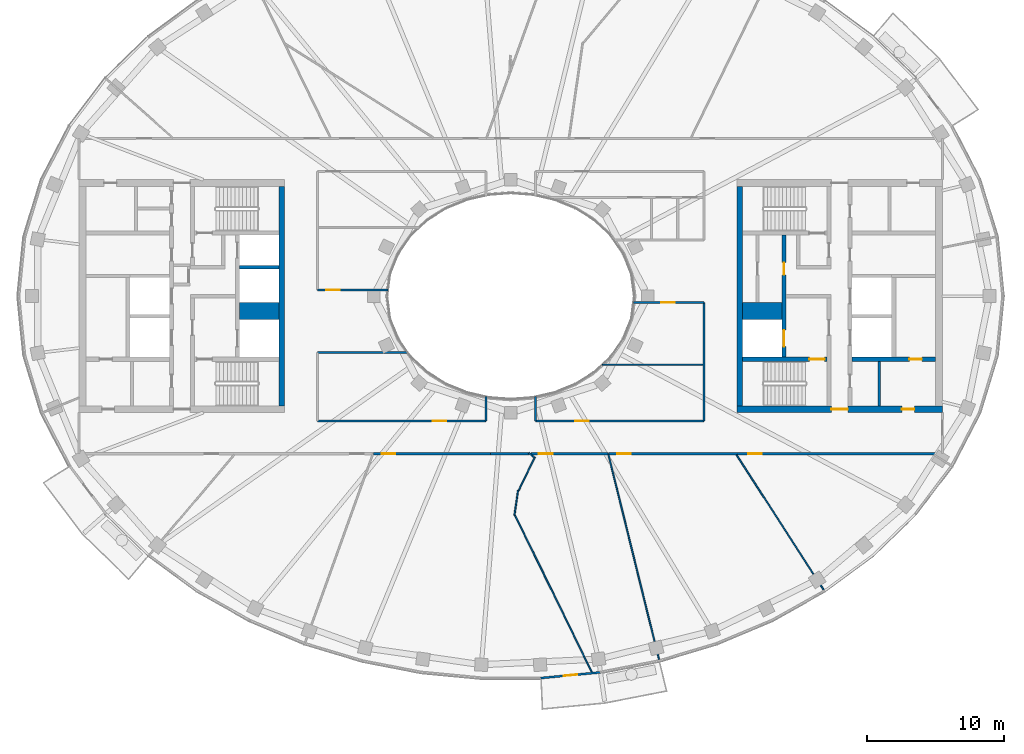
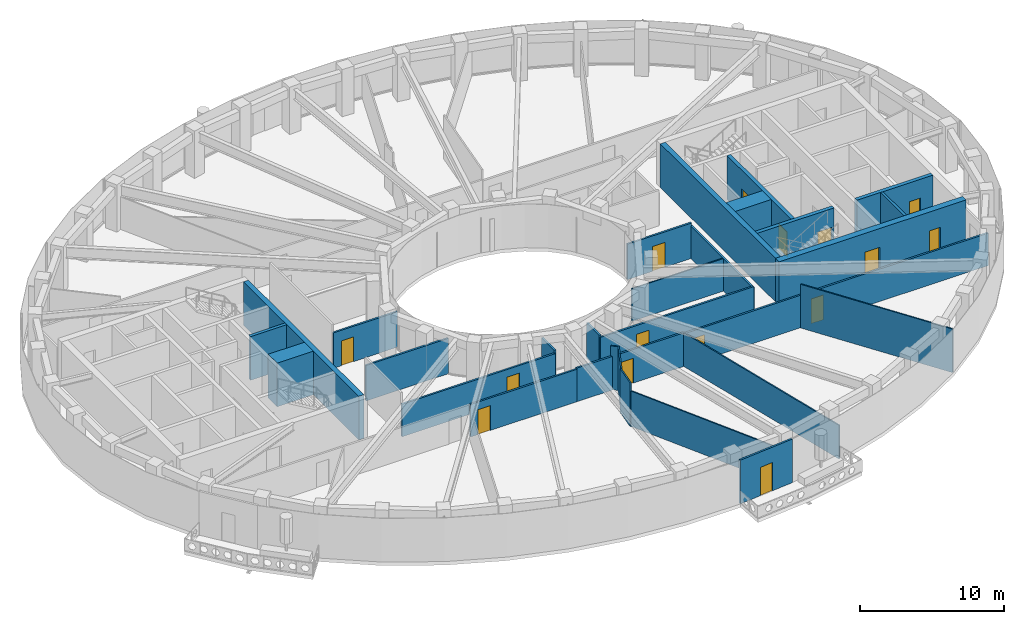
# One storey, part 4 of 16: 30 walls, 15 doors, 15 openings.
"""IFC4 building model written with IfcOpenShell, lengths in metres."""

from ifc_helpers import new_model, si_unit, direction, frame, frame_2d, origin, place, context, subcontext, project, spatial, rectangle, extrude, material, layer, layer_set, type_object, element, fill, save


model = new_model("IFC4")

# Units and contexts
model_context = context("Model", 3, precision=1e-05, world=origin(), true_north=direction((0.0, 1.0)))
body_context = subcontext(model_context, "Body", "Model", "MODEL_VIEW")
ifc_project = project(units=[si_unit("LENGTHUNIT", "METRE"), si_unit("AREAUNIT", "SQUARE_METRE"), si_unit("VOLUMEUNIT", "CUBIC_METRE"), si_unit("PLANEANGLEUNIT", "RADIAN"), si_unit("MASSUNIT", "GRAM", prefix="KILO")], contexts=[model_context])

# Site, building, storey
site_placement = place(None, origin())
site = spatial("IfcSite", under=ifc_project, at=site_placement, CompositionType="ELEMENT")
building_placement = place(site_placement, origin())
building = spatial("IfcBuilding", under=site, at=building_placement, Name="Noorbagh Ring Tower", CompositionType="ELEMENT")
storey_placement = place(building_placement, frame((0.0, 0.0, 299.0)))
storey = spatial("IfcBuildingStorey", under=building, at=storey_placement, Name="L64", CompositionType="ELEMENT", Elevation=299.0)

# Walls
ifc_material_1 = material(Name="Gypsum board on steel studs", Category="steel")
ifc_layer_1 = layer(ifc_material_1, 0.199951171875)
ifc_layer_set_1 = layer_set([ifc_layer_1], Name="Gypsum board on steel studs")
wall_type_1 = type_object("IfcWallType", Name="CORE-PARTITION-200", PredefinedType="PARTITIONING", material=ifc_layer_set_1)
wall_1_placement = place(storey_placement, frame((26.89990234375, -8.0, 0.0), z_axis=(0.0, 0.0, 1.0), x_axis=(0.0, 1.0, 0.0)))
element("IfcWall", 1, at=wall_1_placement, inside=storey, type_object=wall_type_1, Name="Core partition E", PredefinedType="PARTITIONING", context=body_context, shape_type="SweptSolid", body=[
    extrude(rectangle(XDim=3.25, YDim=0.199951171875, at=frame_2d((1.625, 0.0))), origin(), (0.0, 0.0, 1.0), 3.699951171875),
])
ifc_material_2 = material(Name="Concrete C50/60", Category="concrete")
ifc_layer_2 = layer(ifc_material_2, 1.25)
ifc_layer_set_2 = layer_set([ifc_layer_2], Name="Concrete C50/60")
wall_type_2 = type_object("IfcWallType", Name="CORE-WALL-1250-C50-60-EI120", PredefinedType="SHEAR", material=ifc_layer_set_2)
for number, where, z_axis, x_axis, name in (
    (2, (-16.89990234375, -1.074951171875, 0.0), (0.0, 0.0, 1.0), (-1.0, 0.0, 0.0), "Core wall W"),
    (3, (16.89990234375, -1.074951171875, 0.0), (0.0, 0.0, 1.0), (1.0, 0.0, 0.0), "Core wall E"),
):
    element("IfcWall", number, at=place(storey_placement, frame(where, z_axis=z_axis, x_axis=x_axis)), inside=storey, type_object=wall_type_2, Name=name, PredefinedType="SHEAR", context=body_context, shape_type="SweptSolid", body=[
        extrude(rectangle(XDim=2.900146484375, YDim=1.25, at=frame_2d((1.4501953125, 0.0))), origin(), (0.0, 0.0, 1.0), 3.699951171875),
    ])
ifc_material_3 = material(Name="Concrete C50/60", Category="concrete")
ifc_layer_3 = layer(ifc_material_3, 0.25)
ifc_layer_set_3 = layer_set([ifc_layer_3], Name="Concrete C50/60")
wall_type_3 = type_object("IfcWallType", Name="CORE-WALL-250-C50-60-EI120", PredefinedType="SHEAR", material=ifc_layer_set_3)
wall_2_placement = place(storey_placement, frame((-16.89990234375, 2.125, 0.0), z_axis=(0.0, 0.0, 1.0), x_axis=(-1.0, 0.0, 0.0)))
element("IfcWall", 4, at=wall_2_placement, inside=storey, type_object=wall_type_3, Name="Core wall W", PredefinedType="SHEAR", context=body_context, shape_type="SweptSolid", body=[
    extrude(rectangle(XDim=2.900146484375, YDim=0.25, at=frame_2d((1.4501953125, 0.0))), origin(), (0.0, 0.0, 1.0), 3.699951171875),
])

# Wall, openings, doors
ifc_material_4 = material(Name="Concrete C50/60", Category="concrete")
ifc_layer_4 = layer(ifc_material_4, 0.300048828125)
ifc_layer_set_4 = layer_set([ifc_layer_4], Name="Concrete C50/60")
wall_type_4 = type_object("IfcWallType", Name="CORE-WALL-300-C50-60-EI120", PredefinedType="SHEAR", material=ifc_layer_set_4)
wall_3_placement = place(storey_placement, frame((19.949951171875, -4.449951171875, 0.0), z_axis=(0.0, 0.0, 1.0), x_axis=(0.0, 1.0, 0.0)))
wall_3 = element("IfcWall", 5, at=wall_3_placement, inside=storey, type_object=wall_type_4, Name="Core wall E", PredefinedType="SHEAR", context=body_context, shape_type="SweptSolid", body=[
    extrude(rectangle(XDim=8.89990234375, YDim=0.300048828125, at=frame_2d((4.449951171875, 0.0))), origin(), (0.0, 0.0, 1.0), 3.699951171875),
])
opening_1_placement = place(wall_3_placement, frame((0.77490234375, 0.0, 0.0)))
opening_1 = element("IfcOpeningElement", 6, at=opening_1_placement, cuts=wall_3, Name="Opening L64-CE01", PredefinedType="OPENING", context=body_context, shape_type="SweptSolid", body=[
    extrude(rectangle(XDim=1.199951171875, YDim=2.10009765625, at=frame_2d((0.60009765625, 1.050048828125))), frame((0.0, 0.16015625, 0.0), z_axis=(0.0, -1.0, 0.0), x_axis=(1.0, 0.0, 0.0)), (0.0, 0.0, 1.0), 0.320068359375),
])
opening_2_placement = place(wall_3_placement, frame((6.0, 0.0, 0.0)))
opening_2 = element("IfcOpeningElement", 7, at=opening_2_placement, cuts=wall_3, Name="Opening L64-CE10", PredefinedType="OPENING", context=body_context, shape_type="SweptSolid", body=[
    extrude(rectangle(XDim=0.89990234375, YDim=2.10009765625, at=frame_2d((0.449951171875, 1.050048828125))), frame((0.0, 0.16015625, 0.0), z_axis=(0.0, -1.0, 0.0), x_axis=(1.0, 0.0, 0.0)), (0.0, 0.0, 1.0), 0.320068359375),
])
ifc_material_5 = material(Name="Steel door leaf", Category="steel")
door_type_1 = type_object("IfcDoorType", Name="CORE-DOOR-DROOM", OperationType="SINGLE_SWING_LEFT", PredefinedType="DOOR", material=ifc_material_5)
door_1_placement = place(opening_2_placement, origin())
door_1 = element("IfcDoor", 8, at=door_1_placement, inside=storey, type_object=door_type_1, Name="Core room door L64-CE10", OperationType="SINGLE_SWING_RIGHT", OverallHeight=2.10009765625, OverallWidth=0.89990234375, PredefinedType="DOOR", context=body_context, shape_type="SweptSolid", body=[
    extrude(rectangle(XDim=0.89990234375, YDim=2.10009765625, at=frame_2d((0.449951171875, 1.050048828125))), frame((0.0, 0.02490234375, 0.0), z_axis=(0.0, -1.0, 0.0), x_axis=(1.0, 0.0, 0.0)), (0.0, 0.0, 1.0), 0.050048828125),
])
fill(opening_2, door_1)
ifc_material_6 = material(Name="Steel door leaf", Category="steel")
door_type_2 = type_object("IfcDoorType", Name="CORE-DOOR-LDW", OperationType="DOUBLE_DOOR_SLIDING", PredefinedType="DOOR", material=ifc_material_6)
door_2_placement = place(opening_1_placement, origin())
door_2 = element("IfcDoor", 9, at=door_2_placement, inside=storey, type_object=door_type_2, Name="Landing door FF2 L64-CE01", OperationType="DOUBLE_DOOR_SLIDING", OverallHeight=2.10009765625, OverallWidth=1.199951171875, PredefinedType="DOOR", context=body_context, shape_type="SweptSolid", body=[
    extrude(rectangle(XDim=1.199951171875, YDim=2.10009765625, at=frame_2d((0.60009765625, 1.050048828125))), frame((0.0, 0.02490234375, 0.0), z_axis=(0.0, -1.0, 0.0), x_axis=(1.0, 0.0, 0.0)), (0.0, 0.0, 1.0), 0.050048828125),
])
fill(opening_1, door_2)

# Wall, opening, door
ifc_material_7 = material(Name="Concrete C50/60", Category="concrete")
ifc_layer_5 = layer(ifc_material_7, 0.300048828125)
ifc_layer_set_5 = layer_set([ifc_layer_5], Name="Concrete C50/60")
wall_type_5 = type_object("IfcWallType", Name="CORE-WALL-300-C50-60-EI240", PredefinedType="SHEAR", material=ifc_layer_set_5)
wall_4_placement = place(storey_placement, frame((24.89990234375, -4.60009765625, 0.0), z_axis=(0.0, 0.0, 1.0), x_axis=(1.0, 0.0, 0.0)))
wall_4 = element("IfcWall", 10, at=wall_4_placement, inside=storey, type_object=wall_type_5, Name="Core wall E", PredefinedType="SHEAR", context=body_context, shape_type="SweptSolid", body=[
    extrude(rectangle(XDim=6.10009765625, YDim=0.300048828125, at=frame_2d((3.050048828125, 0.0))), origin(), (0.0, 0.0, 1.0), 3.699951171875),
])
opening_3_placement = place(wall_4_placement, frame((4.199951171875, 0.0, 0.0)))
opening_3 = element("IfcOpeningElement", 11, at=opening_3_placement, cuts=wall_4, Name="Opening L64-CE17", PredefinedType="OPENING", context=body_context, shape_type="SweptSolid", body=[
    extrude(rectangle(XDim=0.89990234375, YDim=2.10009765625, at=frame_2d((0.449951171875, 1.050048828125))), frame((0.0, 0.16015625, 0.0), z_axis=(0.0, -1.0, 0.0), x_axis=(1.0, 0.0, 0.0)), (0.0, 0.0, 1.0), 0.320068359375),
])
door_3_placement = place(opening_3_placement, origin())
door_3 = element("IfcDoor", 12, at=door_3_placement, inside=storey, type_object=door_type_1, Name="Core room door L64-CE17", OperationType="SINGLE_SWING_LEFT", OverallHeight=2.10009765625, OverallWidth=0.89990234375, PredefinedType="DOOR", context=body_context, shape_type="SweptSolid", body=[
    extrude(rectangle(XDim=0.89990234375, YDim=2.10009765625, at=frame_2d((0.449951171875, 1.050048828125))), frame((0.0, 0.02490234375, 0.0), z_axis=(0.0, -1.0, 0.0), x_axis=(1.0, 0.0, 0.0)), (0.0, 0.0, 1.0), 0.050048828125),
])
fill(opening_3, door_3)

wall_5_placement = place(storey_placement, frame((16.89990234375, -4.60009765625, 0.0), z_axis=(0.0, 0.0, 1.0), x_axis=(1.0, 0.0, 0.0)))
wall_5 = element("IfcWall", 13, at=wall_5_placement, inside=storey, type_object=wall_type_5, Name="Core wall E", PredefinedType="SHEAR", context=body_context, shape_type="SweptSolid", body=[
    extrude(rectangle(XDim=6.18017578125, YDim=0.300048828125, at=frame_2d((3.090087890625, 0.0))), origin(), (0.0, 0.0, 1.0), 3.699951171875),
])
opening_4_placement = place(wall_5_placement, frame((4.89990234375, 0.0, 0.0)))
opening_4 = element("IfcOpeningElement", 14, at=opening_4_placement, cuts=wall_5, Name="Opening L64-CE05", PredefinedType="OPENING", context=body_context, shape_type="SweptSolid", body=[
    extrude(rectangle(XDim=1.10009765625, YDim=2.10009765625, at=frame_2d((0.550048828125, 1.050048828125))), frame((0.0, 0.16015625, 0.0), z_axis=(0.0, -1.0, 0.0), x_axis=(1.0, 0.0, 0.0)), (0.0, 0.0, 1.0), 0.320068359375),
])
ifc_material_8 = material(Name="Steel door leaf", Category="steel")
door_type_3 = type_object("IfcDoorType", Name="CORE-DOOR-DSTAIR", OperationType="SINGLE_SWING_LEFT", PredefinedType="DOOR", material=ifc_material_8)
door_4_placement = place(opening_4_placement, origin())
door_4 = element("IfcDoor", 15, at=door_4_placement, inside=storey, type_object=door_type_3, Name="Stair door ST4 L64-CE05", OperationType="SINGLE_SWING_RIGHT", OverallHeight=2.10009765625, OverallWidth=1.10009765625, PredefinedType="DOOR", context=body_context, shape_type="SweptSolid", body=[
    extrude(rectangle(XDim=1.10009765625, YDim=2.10009765625, at=frame_2d((0.550048828125, 1.050048828125))), frame((0.0, 0.02490234375, 0.0), z_axis=(0.0, -1.0, 0.0), x_axis=(1.0, 0.0, 0.0)), (0.0, 0.0, 1.0), 0.050048828125),
])
fill(opening_4, door_4)

# Walls
ifc_material_9 = material(Name="Concrete C50/60", Category="concrete")
ifc_layer_6 = layer(ifc_material_9, 0.39990234375)
ifc_layer_set_6 = layer_set([ifc_layer_6], Name="Concrete C50/60")
wall_type_6 = type_object("IfcWallType", Name="CORE-WALL-400-C50-60-EI240", PredefinedType="SHEAR", material=ifc_layer_set_6)
for number, where, z_axis, x_axis, name in (
    (16, (-16.699951171875, -8.0, 0.0), (0.0, 0.0, 1.0), (0.0, 1.0, 0.0), "Core wall W"),
    (17, (16.699951171875, -8.0, 0.0), (0.0, 0.0, 1.0), (0.0, 1.0, 0.0), "Core wall E"),
):
    element("IfcWall", number, at=place(storey_placement, frame(where, z_axis=z_axis, x_axis=x_axis)), inside=storey, type_object=wall_type_6, Name=name, PredefinedType="SHEAR", context=body_context, shape_type="SweptSolid", body=[
        extrude(rectangle(XDim=16.0, YDim=0.39990234375, at=frame_2d((8.0, 0.0))), origin(), (0.0, 0.0, 1.0), 3.699951171875),
    ])

# Wall, openings, doors
ifc_material_10 = material(Name="Concrete C50/60", Category="concrete")
ifc_layer_7 = layer(ifc_material_10, 0.5)
ifc_layer_set_7 = layer_set([ifc_layer_7], Name="Concrete C50/60")
wall_type_7 = type_object("IfcWallType", Name="CORE-WALL-500-C50-60-EI240", PredefinedType="SHEAR", material=ifc_layer_set_7)
wall_6_placement = place(storey_placement, frame((16.5, -8.25, 0.0), z_axis=(0.0, 0.0, 1.0), x_axis=(1.0, 0.0, 0.0)))
wall_6 = element("IfcWall", 18, at=wall_6_placement, inside=storey, type_object=wall_type_7, Name="Core wall E", PredefinedType="SHEAR", context=body_context, shape_type="SweptSolid", body=[
    extrude(rectangle(XDim=15.0, YDim=0.5, at=frame_2d((7.5, 0.0))), origin(), (0.0, 0.0, 1.0), 3.699951171875),
])
opening_5_placement = place(wall_6_placement, frame((6.89990234375, 0.0, 0.0)))
opening_5 = element("IfcOpeningElement", 19, at=opening_5_placement, cuts=wall_6, Name="Opening L64-CE09", PredefinedType="OPENING", context=body_context, shape_type="SweptSolid", body=[
    extrude(rectangle(XDim=1.199951171875, YDim=2.10009765625, at=frame_2d((0.60009765625, 1.050048828125))), frame((0.0, 0.260009765625, 0.0), z_axis=(0.0, -1.0, 0.0), x_axis=(1.0, 0.0, 0.0)), (0.0, 0.0, 1.0), 0.52001953125),
])
opening_6_placement = place(wall_6_placement, frame((12.050048828125, 0.0, 0.0)))
opening_6 = element("IfcOpeningElement", 20, at=opening_6_placement, cuts=wall_6, Name="Opening L64-CE16", PredefinedType="OPENING", context=body_context, shape_type="SweptSolid", body=[
    extrude(rectangle(XDim=0.89990234375, YDim=2.10009765625, at=frame_2d((0.449951171875, 1.050048828125))), frame((0.0, 0.260009765625, 0.0), z_axis=(0.0, -1.0, 0.0), x_axis=(1.0, 0.0, 0.0)), (0.0, 0.0, 1.0), 0.52001953125),
])
door_5_placement = place(opening_6_placement, origin())
door_5 = element("IfcDoor", 21, at=door_5_placement, inside=storey, type_object=door_type_1, Name="Core room door L64-CE16", OperationType="SINGLE_SWING_RIGHT", OverallHeight=2.10009765625, OverallWidth=0.89990234375, PredefinedType="DOOR", context=body_context, shape_type="SweptSolid", body=[
    extrude(rectangle(XDim=0.89990234375, YDim=2.10009765625, at=frame_2d((0.449951171875, 1.050048828125))), frame((0.0, 0.02490234375, 0.0), z_axis=(0.0, -1.0, 0.0), x_axis=(1.0, 0.0, 0.0)), (0.0, 0.0, 1.0), 0.050048828125),
])
fill(opening_6, door_5)
ifc_material_11 = material(Name="Steel door leaf", Category="steel")
door_type_4 = type_object("IfcDoorType", Name="CORE-DOOR-PORT", OperationType="DOUBLE_DOOR_DOUBLE_SWING", PredefinedType="DOOR", material=ifc_material_11)
door_6_placement = place(opening_5_placement, origin())
door_6 = element("IfcDoor", 22, at=door_6_placement, inside=storey, type_object=door_type_4, Name="Core entrance door L64-CE09", OperationType="DOUBLE_DOOR_DOUBLE_SWING", OverallHeight=2.10009765625, OverallWidth=1.199951171875, PredefinedType="DOOR", context=body_context, shape_type="SweptSolid", body=[
    extrude(rectangle(XDim=1.199951171875, YDim=2.10009765625, at=frame_2d((0.60009765625, 1.050048828125))), frame((0.0, 0.02490234375, 0.0), z_axis=(0.0, -1.0, 0.0), x_axis=(1.0, 0.0, 0.0)), (0.0, 0.0, 1.0), 0.050048828125),
])
fill(opening_5, door_6)

# Wall, opening, door
ifc_material_12 = material(Name="Gypsum board on steel studs", Category="steel")
ifc_layer_8 = layer(ifc_material_12, 0.14990234375)
ifc_layer_set_8 = layer_set([ifc_layer_8], Name="Gypsum board on steel studs")
wall_type_8 = type_object("IfcWallType", Name="CORRIDOR PARTITION 150 EI 30", PredefinedType="PARTITIONING", material=ifc_layer_set_8)
wall_7_placement = place(storey_placement, frame((-14.10009765625, -9.10009765625, 0.0), z_axis=(0.0, 0.0, 1.0), x_axis=(1.0, 0.0, 0.0)))
wall_7 = element("IfcWall", 23, at=wall_7_placement, inside=storey, type_object=wall_type_8, Name="L64/wall/P12", PredefinedType="PARTITIONING", context=body_context, shape_type="SweptSolid", body=[
    extrude(rectangle(XDim=12.300048828125, YDim=0.14990234375, at=frame_2d((6.14990234375, 0.0))), origin(), (0.0, 0.0, 1.0), 2.75),
])
opening_7_placement = place(wall_7_placement, frame((8.39990234375, 0.0, 0.0)))
opening_7 = element("IfcOpeningElement", 24, at=opening_7_placement, cuts=wall_7, Name="Opening D1", PredefinedType="OPENING", context=body_context, shape_type="SweptSolid", body=[
    extrude(rectangle(XDim=1.0, YDim=2.10009765625, at=frame_2d((0.5, 1.050048828125))), frame((0.0, 0.0849609375, 0.0), z_axis=(0.0, -1.0, 0.0), x_axis=(1.0, 0.0, 0.0)), (0.0, 0.0, 1.0), 0.169921875),
])
ifc_material_13 = material(Name="Timber, painted", Category="wood")
door_type_5 = type_object("IfcDoorType", Name="DOOR 1000 X 2100 FD30", OperationType="SINGLE_SWING_LEFT", PredefinedType="DOOR", material=ifc_material_13)
door_7_placement = place(opening_7_placement, origin())
door_7 = element("IfcDoor", 25, at=door_7_placement, inside=storey, type_object=door_type_5, Name="L64-D19", OperationType="SINGLE_SWING_LEFT", OverallHeight=2.10009765625, OverallWidth=1.0, PredefinedType="DOOR", context=body_context, shape_type="SweptSolid", body=[
    extrude(rectangle(XDim=1.0, YDim=2.10009765625, at=frame_2d((0.5, 1.050048828125))), frame((0.0, 0.02490234375, 0.0), z_axis=(0.0, -1.0, 0.0), x_axis=(1.0, 0.0, 0.0)), (0.0, 0.0, 1.0), 0.050048828125),
])
fill(opening_7, door_7)

# Wall
wall_8_placement = place(storey_placement, frame((-14.10009765625, -4.094970703125, 0.0), z_axis=(0.0, 0.0, 1.0), x_axis=(1.0, 0.0, 0.0)))
element("IfcWall", 26, at=wall_8_placement, inside=storey, type_object=wall_type_8, Name="L64/wall/P13", PredefinedType="PARTITIONING", context=body_context, shape_type="SweptSolid", body=[
    extrude(rectangle(XDim=6.60302734375, YDim=0.14990234375, at=frame_2d((3.301513671875, 0.0))), origin(), (0.0, 0.0, 1.0), 3.0),
])

# Wall, opening, door
wall_9_placement = place(storey_placement, frame((-14.10009765625, 0.455078125, 0.0), z_axis=(0.0, 0.0, 1.0), x_axis=(1.0, 0.0, 0.0)))
wall_9 = element("IfcWall", 27, at=wall_9_placement, inside=storey, type_object=wall_type_8, Name="L64/wall/P15", PredefinedType="PARTITIONING", context=body_context, shape_type="SweptSolid", body=[
    extrude(rectangle(XDim=5.155029296875, YDim=0.14990234375, at=frame_2d((2.57763671875, 0.0))), origin(), (0.0, 0.0, 1.0), 3.0),
])
opening_8_placement = place(wall_9_placement, frame((0.634033203125, 0.0, 0.0)))
opening_8 = element("IfcOpeningElement", 28, at=opening_8_placement, cuts=wall_9, Name="Opening D1", PredefinedType="OPENING", context=body_context, shape_type="SweptSolid", body=[
    extrude(rectangle(XDim=1.0, YDim=2.10009765625, at=frame_2d((0.5, 1.050048828125))), frame((0.0, 0.0849609375, 0.0), z_axis=(0.0, -1.0, 0.0), x_axis=(1.0, 0.0, 0.0)), (0.0, 0.0, 1.0), 0.169921875),
])
door_8_placement = place(opening_8_placement, origin())
door_8 = element("IfcDoor", 29, at=door_8_placement, inside=storey, type_object=door_type_5, Name="L64-D20", OperationType="SINGLE_SWING_RIGHT", OverallHeight=2.10009765625, OverallWidth=1.0, PredefinedType="DOOR", context=body_context, shape_type="SweptSolid", body=[
    extrude(rectangle(XDim=1.0, YDim=2.10009765625, at=frame_2d((0.5, 1.050048828125))), frame((0.0, 0.02490234375, 0.0), z_axis=(0.0, -1.0, 0.0), x_axis=(1.0, 0.0, 0.0)), (0.0, 0.0, 1.0), 0.050048828125),
])
fill(opening_8, door_8)

wall_10_placement = place(storey_placement, frame((-10.0029296875, -11.5, 0.0), z_axis=(0.0, 0.0, 1.0), x_axis=(1.0, 0.0, 0.0)))
wall_10 = element("IfcWall", 30, at=wall_10_placement, inside=storey, type_object=wall_type_8, Name="L64/wall/P18", PredefinedType="PARTITIONING", context=body_context, shape_type="SweptSolid", body=[
    extrude(rectangle(XDim=8.517822265625, YDim=0.14990234375, at=frame_2d((4.2587890625, 0.0))), origin(), (0.0, 0.0, 1.0), 2.75),
])
opening_9_placement = place(wall_10_placement, frame((0.5849609375, 0.0, 0.0)))
opening_9 = element("IfcOpeningElement", 31, at=opening_9_placement, cuts=wall_10, Name="Opening D1", PredefinedType="OPENING", context=body_context, shape_type="SweptSolid", body=[
    extrude(rectangle(XDim=1.0, YDim=2.10009765625, at=frame_2d((0.5, 1.050048828125))), frame((0.0, 0.0849609375, 0.0), z_axis=(0.0, -1.0, 0.0), x_axis=(1.0, 0.0, 0.0)), (0.0, 0.0, 1.0), 0.169921875),
])
door_9_placement = place(opening_9_placement, origin())
door_9 = element("IfcDoor", 32, at=door_9_placement, inside=storey, type_object=door_type_5, Name="L64-D11", OperationType="SINGLE_SWING_LEFT", OverallHeight=2.10009765625, OverallWidth=1.0, PredefinedType="DOOR", context=body_context, shape_type="SweptSolid", body=[
    extrude(rectangle(XDim=1.0, YDim=2.10009765625, at=frame_2d((0.5, 1.050048828125))), frame((0.0, 0.02490234375, 0.0), z_axis=(0.0, -1.0, 0.0), x_axis=(1.0, 0.0, 0.0)), (0.0, 0.0, 1.0), 0.050048828125),
])
fill(opening_9, door_9)

# Walls
wall_11_placement = place(storey_placement, frame((-1.800048828125, -9.10009765625, 0.0), z_axis=(0.0, 0.0, 1.0), x_axis=(0.0, 1.0, 0.0)))
element("IfcWall", 33, at=wall_11_placement, inside=storey, type_object=wall_type_8, Name="L64/wall/P19", PredefinedType="PARTITIONING", context=body_context, shape_type="SweptSolid", body=[
    extrude(rectangle(XDim=1.76416015625, YDim=0.14990234375, at=frame_2d((0.882080078125, 0.0))), origin(), (0.0, 0.0, 1.0), 3.0),
])
wall_12_placement = place(storey_placement, frame((-1.488037109375, -11.5, 0.0), z_axis=(0.0, 0.0, 1.0), x_axis=(1.0, 0.0, 0.0)))
element("IfcWall", 34, at=wall_12_placement, inside=storey, type_object=wall_type_8, Name="L64/wall/P23", PredefinedType="PARTITIONING", context=body_context, shape_type="SweptSolid", body=[
    extrude(rectangle(XDim=2.841064453125, YDim=0.14990234375, at=frame_2d((1.42041015625, 0.0))), origin(), (0.0, 0.0, 1.0), 2.85009765625),
])

# Wall, opening, door
wall_13_placement = place(storey_placement, frame((1.47802734375, -11.5, 0.0), z_axis=(0.0, 0.0, 1.0), x_axis=(1.0, 0.0, 0.0)))
wall_13 = element("IfcWall", 35, at=wall_13_placement, inside=storey, type_object=wall_type_8, Name="L64/wall/P30", PredefinedType="PARTITIONING", context=body_context, shape_type="SweptSolid", body=[
    extrude(rectangle(XDim=5.634033203125, YDim=0.14990234375, at=frame_2d((2.81689453125, 0.0))), origin(), (0.0, 0.0, 1.0), 2.85009765625),
])
opening_10_placement = place(wall_13_placement, frame((0.574951171875, 0.0, 0.0)))
opening_10 = element("IfcOpeningElement", 36, at=opening_10_placement, cuts=wall_13, Name="Opening D1", PredefinedType="OPENING", context=body_context, shape_type="SweptSolid", body=[
    extrude(rectangle(XDim=1.0, YDim=2.10009765625, at=frame_2d((0.5, 1.050048828125))), frame((0.0, 0.0849609375, 0.0), z_axis=(0.0, -1.0, 0.0), x_axis=(1.0, 0.0, 0.0)), (0.0, 0.0, 1.0), 0.169921875),
])
door_10_placement = place(opening_10_placement, origin())
door_10 = element("IfcDoor", 37, at=door_10_placement, inside=storey, type_object=door_type_5, Name="L64-D13", OperationType="SINGLE_SWING_LEFT", OverallHeight=2.10009765625, OverallWidth=1.0, PredefinedType="DOOR", context=body_context, shape_type="SweptSolid", body=[
    extrude(rectangle(XDim=1.0, YDim=2.10009765625, at=frame_2d((0.5, 1.050048828125))), frame((0.0, 0.02490234375, 0.0), z_axis=(0.0, -1.0, 0.0), x_axis=(1.0, 0.0, 0.0)), (0.0, 0.0, 1.0), 0.050048828125),
])
fill(opening_10, door_10)

# Wall
wall_14_placement = place(storey_placement, frame((1.800048828125, -9.10009765625, 0.0), z_axis=(0.0, 0.0, 1.0), x_axis=(0.0, 1.0, 0.0)))
element("IfcWall", 38, at=wall_14_placement, inside=storey, type_object=wall_type_8, Name="L64/wall/P31", PredefinedType="PARTITIONING", context=body_context, shape_type="SweptSolid", body=[
    extrude(rectangle(XDim=1.76416015625, YDim=0.14990234375, at=frame_2d((0.882080078125, 0.0))), origin(), (0.0, 0.0, 1.0), 3.0),
])

# Wall, opening, door
wall_15_placement = place(storey_placement, frame((1.800048828125, -9.10009765625, 0.0), z_axis=(0.0, 0.0, 1.0), x_axis=(1.0, 0.0, 0.0)))
wall_15 = element("IfcWall", 39, at=wall_15_placement, inside=storey, type_object=wall_type_8, Name="L64/wall/P32", PredefinedType="PARTITIONING", context=body_context, shape_type="SweptSolid", body=[
    extrude(rectangle(XDim=12.300048828125, YDim=0.14990234375, at=frame_2d((6.14990234375, 0.0))), origin(), (0.0, 0.0, 1.0), 2.85009765625),
])
opening_11_placement = place(wall_15_placement, frame((2.89990234375, 0.0, 0.0)))
opening_11 = element("IfcOpeningElement", 40, at=opening_11_placement, cuts=wall_15, Name="Opening D1", PredefinedType="OPENING", context=body_context, shape_type="SweptSolid", body=[
    extrude(rectangle(XDim=1.0, YDim=2.10009765625, at=frame_2d((0.5, 1.050048828125))), frame((0.0, 0.0849609375, 0.0), z_axis=(0.0, -1.0, 0.0), x_axis=(1.0, 0.0, 0.0)), (0.0, 0.0, 1.0), 0.169921875),
])
door_11_placement = place(opening_11_placement, origin())
door_11 = element("IfcDoor", 41, at=door_11_placement, inside=storey, type_object=door_type_5, Name="L64-D22", OperationType="SINGLE_SWING_RIGHT", OverallHeight=2.10009765625, OverallWidth=1.0, PredefinedType="DOOR", context=body_context, shape_type="SweptSolid", body=[
    extrude(rectangle(XDim=1.0, YDim=2.10009765625, at=frame_2d((0.5, 1.050048828125))), frame((0.0, 0.02490234375, 0.0), z_axis=(0.0, -1.0, 0.0), x_axis=(1.0, 0.0, 0.0)), (0.0, 0.0, 1.0), 0.050048828125),
])
fill(opening_11, door_11)

# Wall, openings, doors
wall_16_placement = place(storey_placement, frame((7.12890625, -11.5, 0.0), z_axis=(0.0, 0.0, 1.0), x_axis=(1.0, 0.0, 0.0)))
wall_16 = element("IfcWall", 42, at=wall_16_placement, inside=storey, type_object=wall_type_8, Name="L64/wall/P41", PredefinedType="PARTITIONING", context=body_context, shape_type="SweptSolid", body=[
    extrude(rectangle(XDim=24.37109375, YDim=0.14990234375, at=frame_2d((12.185546875, 0.0))), origin(), (0.0, 0.0, 1.0), 2.75),
])
opening_12_placement = place(wall_16_placement, frame((0.633056640625, 0.0, 0.0)))
opening_12 = element("IfcOpeningElement", 43, at=opening_12_placement, cuts=wall_16, Name="Opening D1", PredefinedType="OPENING", context=body_context, shape_type="SweptSolid", body=[
    extrude(rectangle(XDim=1.0, YDim=2.10009765625, at=frame_2d((0.5, 1.050048828125))), frame((0.0, 0.0849609375, 0.0), z_axis=(0.0, -1.0, 0.0), x_axis=(1.0, 0.0, 0.0)), (0.0, 0.0, 1.0), 0.169921875),
])
opening_13_placement = place(wall_16_placement, frame((10.195068359375, 0.0, 0.0)))
opening_13 = element("IfcOpeningElement", 44, at=opening_13_placement, cuts=wall_16, Name="Opening D1", PredefinedType="OPENING", context=body_context, shape_type="SweptSolid", body=[
    extrude(rectangle(XDim=1.0, YDim=2.10009765625, at=frame_2d((0.5, 1.050048828125))), frame((0.0, 0.0849609375, 0.0), z_axis=(0.0, -1.0, 0.0), x_axis=(1.0, 0.0, 0.0)), (0.0, 0.0, 1.0), 0.169921875),
])
door_12_placement = place(opening_12_placement, origin())
door_12 = element("IfcDoor", 45, at=door_12_placement, inside=storey, type_object=door_type_5, Name="L64-D15", OperationType="SINGLE_SWING_LEFT", OverallHeight=2.10009765625, OverallWidth=1.0, PredefinedType="DOOR", context=body_context, shape_type="SweptSolid", body=[
    extrude(rectangle(XDim=1.0, YDim=2.10009765625, at=frame_2d((0.5, 1.050048828125))), frame((0.0, 0.02490234375, 0.0), z_axis=(0.0, -1.0, 0.0), x_axis=(1.0, 0.0, 0.0)), (0.0, 0.0, 1.0), 0.050048828125),
])
fill(opening_12, door_12)
door_13_placement = place(opening_13_placement, origin())
door_13 = element("IfcDoor", 46, at=door_13_placement, inside=storey, type_object=door_type_5, Name="L64-D17", OperationType="SINGLE_SWING_LEFT", OverallHeight=2.10009765625, OverallWidth=1.0, PredefinedType="DOOR", context=body_context, shape_type="SweptSolid", body=[
    extrude(rectangle(XDim=1.0, YDim=2.10009765625, at=frame_2d((0.5, 1.050048828125))), frame((0.0, 0.02490234375, 0.0), z_axis=(0.0, -1.0, 0.0), x_axis=(1.0, 0.0, 0.0)), (0.0, 0.0, 1.0), 0.050048828125),
])
fill(opening_13, door_13)

# Wall, opening, door
wall_17_placement = place(storey_placement, frame((8.945068359375, -0.455078125, 0.0), z_axis=(0.0, 0.0, 1.0), x_axis=(1.0, 0.0, 0.0)))
wall_17 = element("IfcWall", 47, at=wall_17_placement, inside=storey, type_object=wall_type_8, Name="L64/wall/P43", PredefinedType="PARTITIONING", context=body_context, shape_type="SweptSolid", body=[
    extrude(rectangle(XDim=5.155029296875, YDim=0.14990234375, at=frame_2d((2.57763671875, 0.0))), origin(), (0.0, 0.0, 1.0), 3.0),
])
opening_14_placement = place(wall_17_placement, frame((2.02099609375, 0.0, 0.0)))
opening_14 = element("IfcOpeningElement", 48, at=opening_14_placement, cuts=wall_17, Name="Opening D1", PredefinedType="OPENING", context=body_context, shape_type="SweptSolid", body=[
    extrude(rectangle(XDim=1.0, YDim=2.10009765625, at=frame_2d((0.5, 1.050048828125))), frame((0.0, 0.0849609375, 0.0), z_axis=(0.0, -1.0, 0.0), x_axis=(1.0, 0.0, 0.0)), (0.0, 0.0, 1.0), 0.169921875),
])
door_14_placement = place(opening_14_placement, origin())
door_14 = element("IfcDoor", 49, at=door_14_placement, inside=storey, type_object=door_type_5, Name="L64-D23", OperationType="SINGLE_SWING_LEFT", OverallHeight=2.10009765625, OverallWidth=1.0, PredefinedType="DOOR", context=body_context, shape_type="SweptSolid", body=[
    extrude(rectangle(XDim=1.0, YDim=2.10009765625, at=frame_2d((0.5, 1.050048828125))), frame((0.0, 0.02490234375, 0.0), z_axis=(0.0, -1.0, 0.0), x_axis=(1.0, 0.0, 0.0)), (0.0, 0.0, 1.0), 0.050048828125),
])
fill(opening_14, door_14)

# Wall
wall_18_placement = place(storey_placement, frame((14.10009765625, -9.10009765625, 0.0), z_axis=(0.0, 0.0, 1.0), x_axis=(0.0, 1.0, 0.0)))
element("IfcWall", 50, at=wall_18_placement, inside=storey, type_object=wall_type_8, Name="L64/wall/P47", PredefinedType="PARTITIONING", context=body_context, shape_type="SweptSolid", body=[
    extrude(rectangle(XDim=8.64501953125, YDim=0.14990234375, at=frame_2d((4.322509765625, 0.0))), origin(), (0.0, 0.0, 1.0), 2.75),
])

# Wall, opening, door
ifc_material_14 = material(Name="Insulated aluminium clad panel", Category="aluminium")
ifc_layer_9 = layer(ifc_material_14, 0.14990234375)
ifc_layer_set_9 = layer_set([ifc_layer_9], Name="Insulated aluminium clad panel")
wall_type_9 = type_object("IfcWallType", Name="ENV-WALL-DOOR", PredefinedType="STANDARD", material=ifc_layer_set_9)
wall_19_placement = place(storey_placement, frame((2.166259765625, -27.875244140625, 0.0), z_axis=(0.0, 0.0, 1.0), x_axis=(0.995473879823, 0.095035543824, 0.0)))
wall_19 = element("IfcWall", 51, at=wall_19_placement, inside=storey, type_object=wall_type_9, Name="Balcony door wall chord 36", PredefinedType="STANDARD", context=body_context, shape_type="SweptSolid", body=[
    extrude(rectangle(XDim=4.42626953125, YDim=0.14990234375, at=frame_2d((2.213134765625, 0.0))), origin(), (0.0, 0.0, 1.0), 3.699951171875),
])
opening_15_placement = place(wall_19_placement, frame((1.713134765625, 0.0, 0.0)))
opening_15 = element("IfcOpeningElement", 52, at=opening_15_placement, cuts=wall_19, Name="Opening D-BL", PredefinedType="OPENING", context=body_context, shape_type="SweptSolid", body=[
    extrude(rectangle(XDim=1.0, YDim=2.39990234375, at=frame_2d((0.5, 1.199951171875))), frame((0.0, 0.0849609375, 0.0), z_axis=(0.0, -1.0, 0.0), x_axis=(1.0, 0.0, 0.0)), (0.0, 0.0, 1.0), 0.169921875),
])
ifc_material_15 = material(Name="Aluminium and glass", Category="aluminium")
door_type_6 = type_object("IfcDoorType", Name="ENV-DOOR-BALCONY", OperationType="SINGLE_SWING_LEFT", PredefinedType="DOOR", material=ifc_material_15)
door_15_placement = place(opening_15_placement, origin())
door_15 = element("IfcDoor", 53, at=door_15_placement, inside=storey, type_object=door_type_6, Name="Balcony door chord 36", OperationType="SINGLE_SWING_LEFT", OverallHeight=2.39990234375, OverallWidth=1.0, PredefinedType="DOOR", context=body_context, shape_type="SweptSolid", body=[
    extrude(rectangle(XDim=1.0, YDim=2.39990234375, at=frame_2d((0.5, 1.199951171875))), frame((0.0, 0.02490234375, 0.0), z_axis=(0.0, -1.0, 0.0), x_axis=(1.0, 0.0, 0.0)), (0.0, 0.0, 1.0), 0.050048828125),
])
fill(opening_15, door_15)

# Walls
ifc_material_16 = material(Name="Gypsum board on steel studs", Category="steel")
ifc_layer_10 = layer(ifc_material_16, 0.10009765625)
ifc_layer_set_10 = layer_set([ifc_layer_10], Name="Gypsum board on steel studs")
wall_type_10 = type_object("IfcWallType", Name="PARTITION 100 GYPSUM", PredefinedType="PARTITIONING", material=ifc_layer_set_10)
wall_20_placement = place(storey_placement, frame((0.264892578125, -16.008056640625, 0.0), z_axis=(0.0, 0.0, 1.0), x_axis=(0.142907964002, 0.989735981878, 0.0)))
element("IfcWall", 54, at=wall_20_placement, inside=storey, type_object=wall_type_10, Name="L64/wall/P26", PredefinedType="PARTITIONING", context=body_context, shape_type="SweptSolid", body=[
    extrude(rectangle(XDim=1.862060546875, YDim=0.10009765625, at=frame_2d((0.93115234375, 0.0))), origin(), (0.0, 0.0, 1.0), 3.699951171875),
])
wall_21_placement = place(storey_placement, frame((0.31689453125, -16.0, 0.0), z_axis=(0.0, 0.0, 1.0), x_axis=(0.43922717886, -0.898376026701, 0.0)))
element("IfcWall", 55, at=wall_21_placement, inside=storey, type_object=wall_type_10, Name="L64/wall/P27", PredefinedType="PARTITIONING", context=body_context, shape_type="SweptSolid", body=[
    extrude(rectangle(XDim=12.84326171875, YDim=0.10009765625, at=frame_2d((6.421630859375, 0.0))), origin(), (0.0, 0.0, 1.0), 3.0),
])
wall_22_placement = place(storey_placement, frame((0.576904296875, -14.173095703125, 0.0), z_axis=(0.0, 0.0, 1.0), x_axis=(0.43904776377, 0.898463722767, 0.0)))
element("IfcWall", 56, at=wall_22_placement, inside=storey, type_object=wall_type_10, Name="L64/wall/P28", PredefinedType="PARTITIONING", context=body_context, shape_type="SweptSolid", body=[
    extrude(rectangle(XDim=2.697021484375, YDim=0.10009765625, at=frame_2d((1.3486328125, 0.0))), origin(), (0.0, 0.0, 1.0), 3.699951171875),
])
wall_23_placement = place(storey_placement, frame((1.318115234375, -11.425048828125, 0.0), z_axis=(0.0, 0.0, 1.0), x_axis=(0.748043921786, -0.663649222918, 0.0)))
element("IfcWall", 57, at=wall_23_placement, inside=storey, type_object=wall_type_10, Name="L64/wall/P29", PredefinedType="PARTITIONING", context=body_context, shape_type="SweptSolid", body=[
    extrude(rectangle(XDim=0.509033203125, YDim=0.10009765625, at=frame_2d((0.25439453125, 0.0))), origin(), (0.0, 0.0, 1.0), 3.699951171875),
])
wall_24_placement = place(storey_placement, frame((6.68408203125, -5.0048828125, 0.0), z_axis=(0.0, 0.0, 1.0), x_axis=(1.0, 0.0, 0.0)))
element("IfcWall", 58, at=wall_24_placement, inside=storey, type_object=wall_type_10, Name="L64/wall/P39", PredefinedType="PARTITIONING", context=body_context, shape_type="SweptSolid", body=[
    extrude(rectangle(XDim=7.3408203125, YDim=0.10009765625, at=frame_2d((3.67041015625, 0.0))), origin(), (0.0, 0.0, 1.0), 2.75),
])
wall_25_placement = place(storey_placement, frame((7.112060546875, -11.5, 0.0), z_axis=(0.0, 0.0, 1.0), x_axis=(0.239846808941, -0.970810747901, 0.0)))
element("IfcWall", 59, at=wall_25_placement, inside=storey, type_object=wall_type_10, Name="L64/wall/P40", PredefinedType="PARTITIONING", context=body_context, shape_type="SweptSolid", body=[
    extrude(rectangle(XDim=15.601318359375, YDim=0.10009765625, at=frame_2d((7.80078125, 0.0))), origin(), (0.0, 0.0, 1.0), 2.85009765625),
])
wall_26_placement = place(storey_placement, frame((16.471923828125, -11.574951171875, 0.0), z_axis=(0.0, 0.0, 1.0), x_axis=(0.54229092728, -0.840190782019, 0.0)))
element("IfcWall", 60, at=wall_26_placement, inside=storey, type_object=wall_type_10, Name="L64/wall/P49", PredefinedType="PARTITIONING", context=body_context, shape_type="SweptSolid", body=[
    extrude(rectangle(XDim=11.86279296875, YDim=0.10009765625, at=frame_2d((5.931396484375, 0.0))), origin(), (0.0, 0.0, 1.0), 3.699951171875),
])

save(model, "model.ifc")
